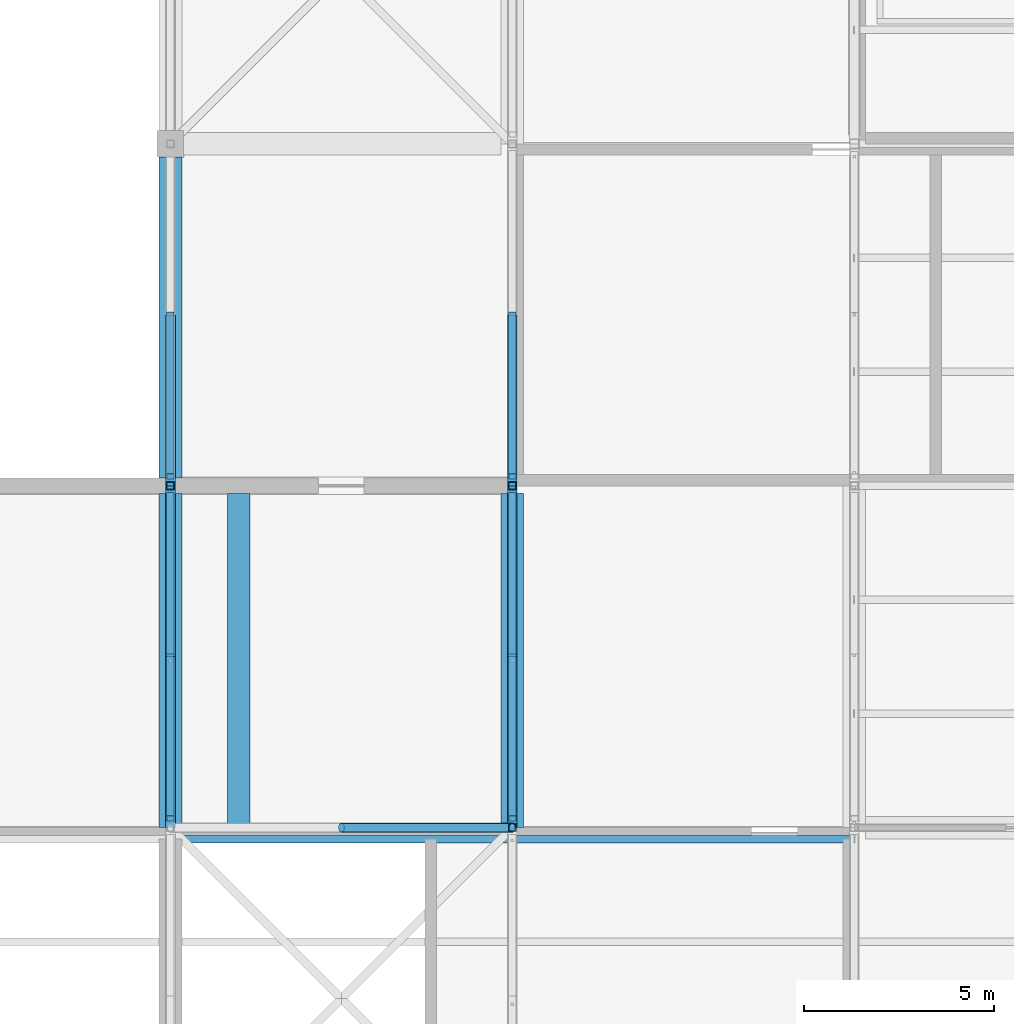
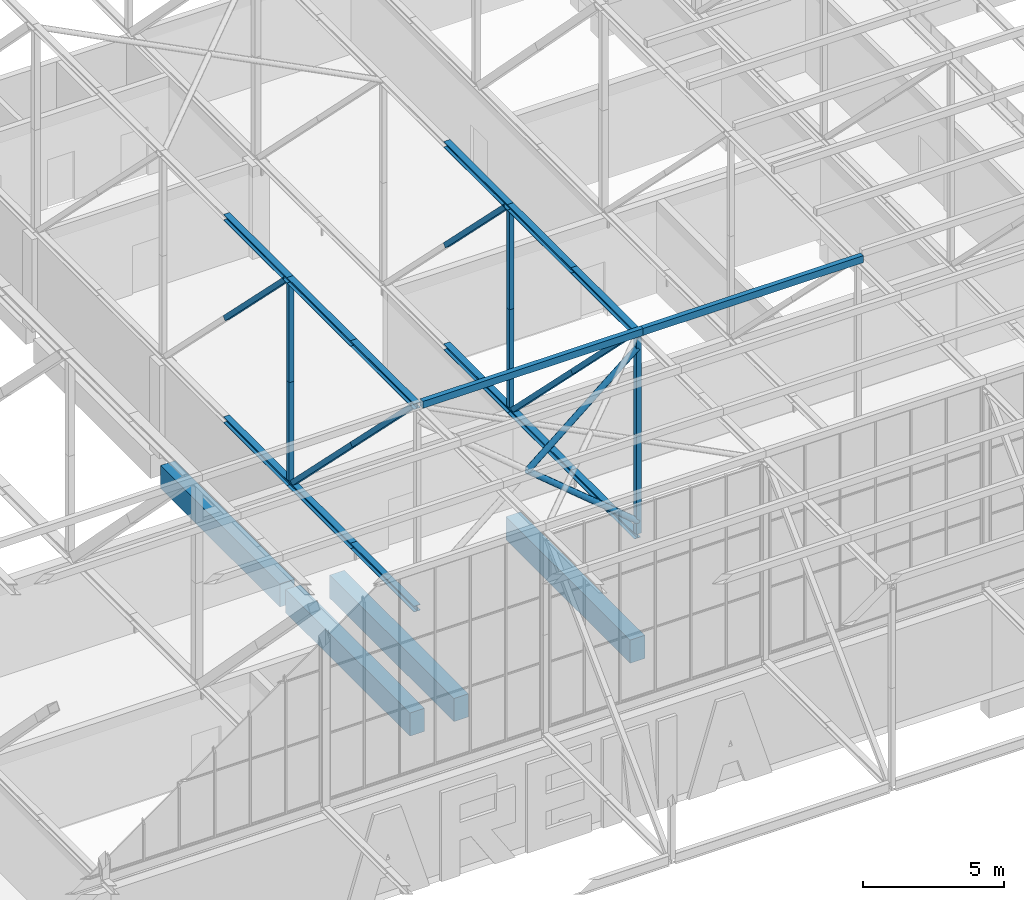
# One storey, part 42 of 646: 28 members, 4 beams.
"""IFC4 building model written with IfcOpenShell, lengths in metres."""

from ifc_helpers import new_model, si_unit, direction, frame, origin, origin_2d, place, context, subcontext, project, spatial, rectangle, hollow_rectangle, hollow_circle, i_section, extrude, material, material_profile, profile_set, type_object, element, save


model = new_model("IFC4")

# Units and contexts
model_context = context("Model", 3, precision=1e-05, world=origin(), true_north=direction((0.0, 1.0)))
body_context = subcontext(model_context, "Body", "Model", "MODEL_VIEW")
ifc_project = project(units=[si_unit("LENGTHUNIT", "METRE"), si_unit("AREAUNIT", "SQUARE_METRE"), si_unit("VOLUMEUNIT", "CUBIC_METRE"), si_unit("PLANEANGLEUNIT", "RADIAN"), si_unit("MASSUNIT", "GRAM", prefix="KILO")], contexts=[model_context])

# Site, building, storey
site_placement = place(None, origin())
site = spatial("IfcSite", under=ifc_project, at=site_placement, CompositionType="ELEMENT")
building_placement = place(site_placement, origin())
building = spatial("IfcBuilding", under=site, at=building_placement, Name="Silverbay Arena", CompositionType="ELEMENT")
storey_placement = place(building_placement, frame((0.0, 0.0, 33.5)))
storey = spatial("IfcBuildingStorey", under=building, at=storey_placement, Name="L05", CompositionType="ELEMENT", Elevation=33.5)

# Members
ifc_material_1 = material(Name="Steel S355", Category="steel")
ifc_material_profile_1 = material_profile(ifc_material_1, i_section(OverallWidth=0.254638671875, OverallDepth=0.254150390625, WebThickness=0.008544921875, FlangeThickness=0.01416015625, at=origin_2d()), Name="UC 254x254x73")
ifc_profile_set_1 = profile_set([ifc_material_profile_1], Name="Steel S355")
member_type_1 = type_object("IfcMemberType", Name="Medium-span bottom chord UC 254x254x73", PredefinedType="CHORD", material=ifc_profile_set_1)
for number, where, z_axis, x_axis, name in (
    (1, (162.0, 27.0, 4.126953125), (0.0, 1.0, 0.0), (-1.0, 0.0, 0.0), "ROOF TRUSS 19 bottom chord 03a"),
    (2, (162.0, 31.5, 4.126953125), (0.0, 1.0, 0.0), (-1.0, 0.0, 0.0), "ROOF TRUSS 19 bottom chord 03b"),
    (3, (162.0, 36.0, 4.126953125), (0.0, 1.0, 0.0), (-1.0, 0.0, 0.0), "ROOF TRUSS 19 bottom chord 04a"),
    (4, (171.0, 27.0, 4.126953125), (0.0, 1.0, 0.0), (-1.0, 0.0, 0.0), "ROOF TRUSS 20 bottom chord 03a"),
    (5, (171.0, 31.5, 4.126953125), (0.0, 1.0, 0.0), (-1.0, 0.0, 0.0), "ROOF TRUSS 20 bottom chord 03b"),
    (6, (171.0, 36.0, 4.126953125), (0.0, 1.0, 0.0), (-1.0, 0.0, 0.0), "ROOF TRUSS 20 bottom chord 04a"),
):
    element("IfcMember", number, at=place(storey_placement, frame(where, z_axis=z_axis, x_axis=x_axis)), inside=storey, type_object=member_type_1, Name=name, PredefinedType="CHORD", context=body_context, shape_type="SweptSolid", body=[
        extrude(i_section(OverallWidth=0.254638671875, OverallDepth=0.254150390625, WebThickness=0.008544921875, FlangeThickness=0.01416015625, at=origin_2d()), origin(), (0.0, 0.0, 1.0), 4.5),
    ])
ifc_material_2 = material(Name="Steel S355", Category="steel")
ifc_material_profile_2 = material_profile(ifc_material_2, i_section(OverallWidth=0.254638671875, OverallDepth=0.254150390625, WebThickness=0.008544921875, FlangeThickness=0.01416015625, at=origin_2d()), Name="UC 254x254x73")
ifc_profile_set_2 = profile_set([ifc_material_profile_2], Name="Steel S355")
member_type_2 = type_object("IfcMemberType", Name="Medium-span top chord UC 254x254x73", PredefinedType="CHORD", material=ifc_profile_set_2)
for number, where, z_axis, x_axis, name in (
    (7, (162.0, 27.0, 12.873046875), (0.0, 1.0, 0.0), (-1.0, 0.0, 0.0), "ROOF TRUSS 19 top chord 03a"),
    (8, (162.0, 31.5, 12.873046875), (0.0, 1.0, 0.0), (-1.0, 0.0, 0.0), "ROOF TRUSS 19 top chord 03b"),
    (9, (162.0, 36.0, 12.873046875), (0.0, 1.0, 0.0), (-1.0, 0.0, 0.0), "ROOF TRUSS 19 top chord 04a"),
    (10, (171.0, 27.0, 12.873046875), (0.0, 1.0, 0.0), (-1.0, 0.0, 0.0), "ROOF TRUSS 20 top chord 03a"),
    (11, (171.0, 31.5, 12.873046875), (0.0, 1.0, 0.0), (-1.0, 0.0, 0.0), "ROOF TRUSS 20 top chord 03b"),
    (12, (171.0, 36.0, 12.873046875), (0.0, 1.0, 0.0), (-1.0, 0.0, 0.0), "ROOF TRUSS 20 top chord 04a"),
):
    element("IfcMember", number, at=place(storey_placement, frame(where, z_axis=z_axis, x_axis=x_axis)), inside=storey, type_object=member_type_2, Name=name, PredefinedType="CHORD", context=body_context, shape_type="SweptSolid", body=[
        extrude(i_section(OverallWidth=0.254638671875, OverallDepth=0.254150390625, WebThickness=0.008544921875, FlangeThickness=0.01416015625, at=origin_2d()), origin(), (0.0, 0.0, 1.0), 4.5),
    ])
ifc_material_3 = material(Name="Steel S355", Category="steel")
ifc_material_profile_3 = material_profile(ifc_material_3, hollow_rectangle(XDim=0.199951171875, YDim=0.199951171875, WallThickness=0.008056640625, at=origin_2d()), Name="SHS 200x200x8")
ifc_profile_set_3 = profile_set([ifc_material_profile_3], Name="Steel S355")
member_type_3 = type_object("IfcMemberType", Name="Medium-span truss diagonal SHS 200x200x8", PredefinedType="BRACE", material=ifc_profile_set_3)
for number, where, z_axis, x_axis, name in (
    (13, (162.0, 27.24560546875, 12.745849609375), (0.0, 0.70781724692, -0.706395600894), (-1.0, 0.0, 0.0), "ROOF TRUSS 19 diagonal 03a"),
    (14, (162.0, 31.5, 8.5), (0.0, 0.70781724692, -0.706395600894), (-1.0, 0.0, 0.0), "ROOF TRUSS 19 diagonal 03b"),
    (15, (162.0, 36.24560546875, 12.745849609375), (0.0, 0.70781724692, -0.706395600894), (-1.0, 0.0, 0.0), "ROOF TRUSS 19 diagonal 04a"),
    (16, (171.0, 27.24560546875, 12.745849609375), (0.0, 0.70781724692, -0.706395600894), (-1.0, 0.0, 0.0), "ROOF TRUSS 20 diagonal 03a"),
    (17, (171.0, 31.5, 8.5), (0.0, 0.70781724692, -0.706395600894), (-1.0, 0.0, 0.0), "ROOF TRUSS 20 diagonal 03b"),
    (18, (171.0, 36.24560546875, 12.745849609375), (0.0, 0.70781724692, -0.706395600894), (-1.0, 0.0, 0.0), "ROOF TRUSS 20 diagonal 04a"),
):
    element("IfcMember", number, at=place(storey_placement, frame(where, z_axis=z_axis, x_axis=x_axis)), inside=storey, type_object=member_type_3, Name=name, PredefinedType="BRACE", context=body_context, shape_type="SweptSolid", body=[
        extrude(hollow_rectangle(XDim=0.199951171875, YDim=0.199951171875, WallThickness=0.008056640625, at=origin_2d()), origin(), (0.0, 0.0, 1.0), 6.010498046875),
    ])
ifc_material_4 = material(Name="Steel S355", Category="steel")
ifc_material_profile_4 = material_profile(ifc_material_4, hollow_rectangle(XDim=0.199951171875, YDim=0.199951171875, WallThickness=0.008056640625, at=origin_2d()), Name="SHS 200x200x8")
ifc_profile_set_4 = profile_set([ifc_material_profile_4], Name="Steel S355")
member_type_4 = type_object("IfcMemberType", Name="Medium-span truss vertical SHS 200x200x8", PredefinedType="STRUT", material=ifc_profile_set_4)
for number, where, z_axis, x_axis, name in (
    (19, (162.0, 36.0, 4.254150390625), (0.0, 0.0, 1.0), (1.0, 0.0, 0.0), "ROOF TRUSS 19 vertical 04a"),
    (20, (162.0, 36.0, 8.5), (0.0, 0.0, 1.0), (1.0, 0.0, 0.0), "ROOF TRUSS 19 vertical 04b"),
    (21, (171.0, 27.0, 4.254150390625), (0.0, 0.0, 1.0), (1.0, 0.0, 0.0), "ROOF TRUSS 20 vertical 03a"),
    (22, (171.0, 27.0, 8.5), (0.0, 0.0, 1.0), (1.0, 0.0, 0.0), "ROOF TRUSS 20 vertical 03b"),
    (23, (171.0, 36.0, 4.254150390625), (0.0, 0.0, 1.0), (1.0, 0.0, 0.0), "ROOF TRUSS 20 vertical 04a"),
    (24, (171.0, 36.0, 8.5), (0.0, 0.0, 1.0), (1.0, 0.0, 0.0), "ROOF TRUSS 20 vertical 04b"),
):
    element("IfcMember", number, at=place(storey_placement, frame(where, z_axis=z_axis, x_axis=x_axis)), inside=storey, type_object=member_type_4, Name=name, PredefinedType="STRUT", context=body_context, shape_type="SweptSolid", body=[
        extrude(hollow_rectangle(XDim=0.199951171875, YDim=0.199951171875, WallThickness=0.008056640625, at=origin_2d()), origin(), (0.0, 0.0, 1.0), 4.245849609375),
    ])
ifc_material_5 = material(Name="Steel S355", Category="steel")
ifc_material_profile_5 = material_profile(ifc_material_5, hollow_rectangle(XDim=0.199951171875, YDim=0.300048828125, WallThickness=0.00634765625, at=origin_2d()), Name="RHS 300x200x6.3")
ifc_profile_set_5 = profile_set([ifc_material_profile_5], Name="Steel S355")
member_type_5 = type_object("IfcMemberType", Name="Purlin RHS 300x200x6.3", PredefinedType="PURLIN", material=ifc_profile_set_5)
for number, where, z_axis, x_axis, name in (
    (25, (162.0, 26.699951171875, 13.14990234375), (1.0, 0.0, 0.0), (0.0, 1.0, 0.0), "ROOF PURLIN crown rim south 19-20"),
    (26, (171.0, 26.699951171875, 13.14990234375), (1.0, 0.0, 0.0), (0.0, 1.0, 0.0), "ROOF PURLIN crown rim south 20-21"),
):
    element("IfcMember", number, at=place(storey_placement, frame(where, z_axis=z_axis, x_axis=x_axis)), inside=storey, type_object=member_type_5, Name=name, PredefinedType="PURLIN", context=body_context, shape_type="SweptSolid", body=[
        extrude(hollow_rectangle(XDim=0.199951171875, YDim=0.300048828125, WallThickness=0.00634765625, at=origin_2d()), origin(), (0.0, 0.0, 1.0), 9.0),
    ])

# Beams
ifc_material_6 = material(Name="Concrete Grade C45", Category="concrete")
ifc_material_profile_6 = material_profile(ifc_material_6, rectangle(XDim=0.60009765625, YDim=1.0, at=origin_2d()), Name="RC 600x1000")
ifc_profile_set_6 = profile_set([ifc_material_profile_6], Name="Concrete Grade C45")
beam_type = type_object("IfcBeamType", Name="RC beam 600x1000", PredefinedType="BEAM", material=ifc_profile_set_6)
beam_1_placement = place(storey_placement, frame((162.0, 27.0, -0.800048828125), z_axis=(0.0, 1.0, 0.0), x_axis=(-1.0, 0.0, 0.0)))
element("IfcBeam", 27, at=beam_1_placement, inside=storey, type_object=beam_type, Name="Floor beam L05 121", PredefinedType="BEAM", context=body_context, shape_type="SweptSolid", body=[
    extrude(rectangle(XDim=0.60009765625, YDim=1.0, at=origin_2d()), origin(), (0.0, 0.0, 1.0), 8.800048828125),
])
beam_2_placement = place(storey_placement, frame((162.0, 36.199951171875, -0.800048828125), z_axis=(0.0, 1.0, 0.0), x_axis=(-1.0, 0.0, 0.0)))
element("IfcBeam", 28, at=beam_2_placement, inside=storey, type_object=beam_type, Name="Floor beam L05 122", PredefinedType="BEAM", context=body_context, shape_type="SweptSolid", body=[
    extrude(rectangle(XDim=0.60009765625, YDim=1.0, at=origin_2d()), origin(), (0.0, 0.0, 1.0), 8.449951171875),
])
for number, where, z_axis, x_axis, name in (
    (29, (163.800048828125, 27.0, -0.800048828125), (0.0, 1.0, 0.0), (-1.0, 0.0, 0.0), "Floor beam L05 129"),
    (30, (171.0, 27.0, -0.800048828125), (0.0, 1.0, 0.0), (-1.0, 0.0, 0.0), "Floor beam L05 131"),
):
    element("IfcBeam", number, at=place(storey_placement, frame(where, z_axis=z_axis, x_axis=x_axis)), inside=storey, type_object=beam_type, Name=name, PredefinedType="BEAM", context=body_context, shape_type="SweptSolid", body=[
        extrude(rectangle(XDim=0.60009765625, YDim=1.0, at=origin_2d()), origin(), (0.0, 0.0, 1.0), 8.800048828125),
    ])

# Members
ifc_material_7 = material(Name="Steel S355", Category="steel")
ifc_material_profile_7 = material_profile(ifc_material_7, hollow_circle(Radius=0.122314453125, WallThickness=0.00634765625, at=origin_2d()), Name="CHS 244.5x6.3")
ifc_profile_set_7 = profile_set([ifc_material_profile_7], Name="Steel S355")
member_type_6 = type_object("IfcMemberType", Name="Vertical bracing CHS 244.5x6.3", PredefinedType="BRACE", material=ifc_profile_set_7)
for number, where, z_axis, x_axis, name in (
    (31, (166.5, 27.0, 8.5), (0.768569784798, 0.0, 0.639765961814), (0.0, 1.0, 0.0), "ROOF BRACING vertical 19-20 line 03 Ab"),
    (32, (166.5, 27.0, 8.5), (0.768569784798, 0.0, -0.639765961814), (0.0, 1.0, 0.0), "ROOF BRACING vertical 19-20 line 03 Bb"),
):
    element("IfcMember", number, at=place(storey_placement, frame(where, z_axis=z_axis, x_axis=x_axis)), inside=storey, type_object=member_type_6, Name=name, PredefinedType="BRACE", context=body_context, shape_type="SweptSolid", body=[
        extrude(hollow_circle(Radius=0.122314453125, WallThickness=0.00634765625, at=origin_2d()), origin(), (0.0, 0.0, 1.0), 5.85498046875),
    ])

save(model, "model.ifc")
